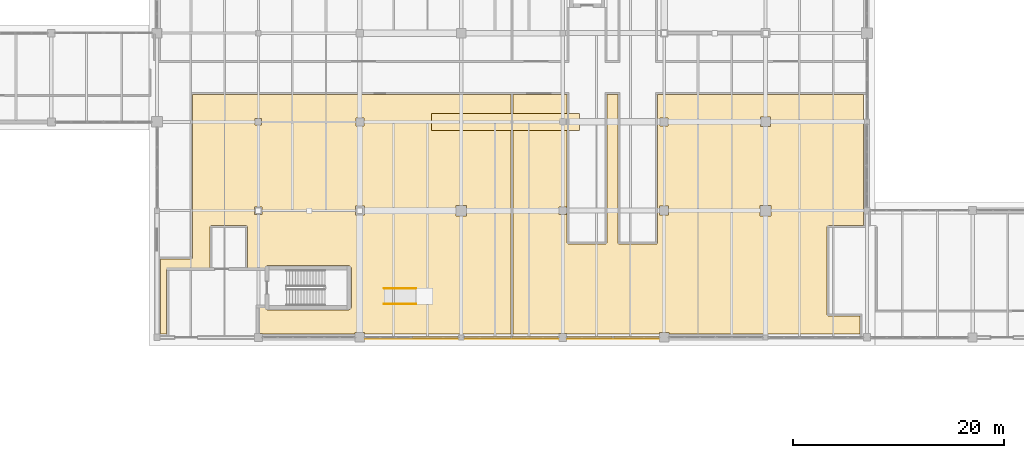
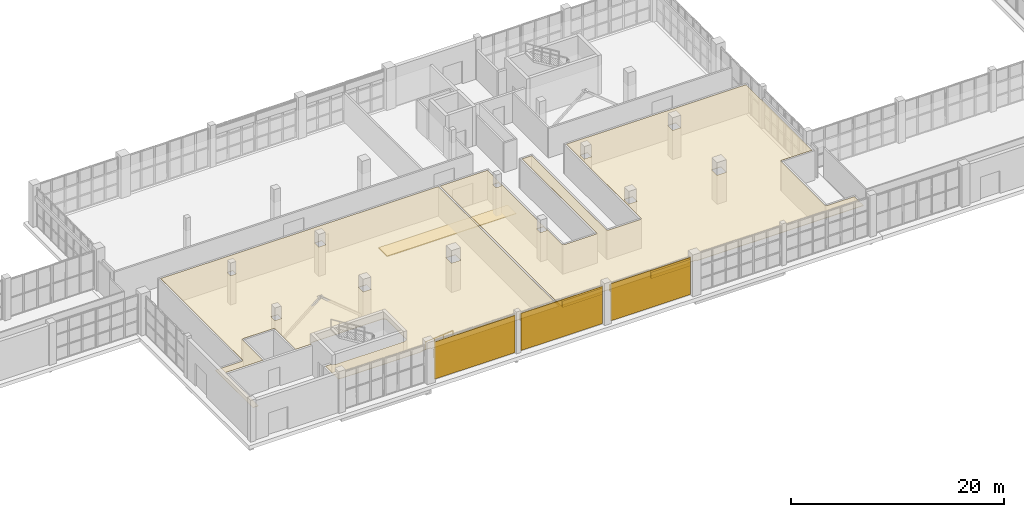
# One storey, part 111 of 121: 8 coverings, 3 shading devices, 2 railings.
"""IFC4 building model written with IfcOpenShell, lengths in metres."""

import ifcopenshell
import ifcopenshell.guid

model = None  # the IFC model being written
_history = None  # IfcOwnerHistory: only IFC2X3 demands one
_inside = {}  # id of a spatial element -> (the spatial element, [elements in it])
_under = {}  # id of a project, library or spatial element -> (it, [spatial elements below it])
_declared = {}  # id of a project -> (the project, [libraries it declares])
_typed = {}  # id of a type object -> (the type object, [elements of that type])
_made_of = {}  # id of a material, layer set ... -> (it, [elements and type objects made of it])


def new_model(schema):
    """Start an empty IFC model of exactly this schema.

    Asked for "IFC4X3", IfcOpenShell would pick the latest addendum, in which some entities
    have other attributes; the version numbers below select the first issue.
    IFC2X3 requires an IfcOwnerHistory on every rooted entity: one is made here for all.
    """
    global model, _history
    if schema == "IFC4X3":
        model = ifcopenshell.file(schema_version=(4, 3, 0, 0))
    else:
        model = ifcopenshell.file(schema=schema)
    _inside.clear()
    _under.clear()
    _declared.clear()
    _typed.clear()
    _made_of.clear()
    _history = None
    if model.schema == "IFC2X3":
        org = make("IfcOrganization", Name="unknown")
        user = make(
            "IfcPersonAndOrganization",
            ThePerson=make("IfcPerson", FamilyName="unknown"),
            TheOrganization=org,
        )
        app = make(
            "IfcApplication",
            ApplicationDeveloper=org,
            Version="unknown",
            ApplicationFullName="unknown",
            ApplicationIdentifier="unknown",
        )
        _history = make(
            "IfcOwnerHistory",
            OwningUser=user,
            OwningApplication=app,
            ChangeAction="ADDED",
            CreationDate=0,
        )
    return model


def make(cls, **values):
    """One entity of the class cls with the attributes given. An attribute that is None is left unset."""
    return model.create_entity(
        cls, **{name: value for name, value in values.items() if value is not None}
    )


def rooted(cls, **values):
    """An entity with a GlobalId (a new one), such as an element, a storey or a relation."""
    return make(cls, GlobalId=ifcopenshell.guid.new(), OwnerHistory=_history, **values)


def si_unit(unit_type, name, prefix=None):
    """IfcSIUnit, for example si_unit("LENGTHUNIT", "METRE", prefix="MILLI")."""
    return make("IfcSIUnit", UnitType=unit_type, Prefix=prefix, Name=name)


def assignment(units):
    """IfcUnitAssignment: the units of a project."""
    return None if units is None else make("IfcUnitAssignment", Units=units)


def point(xyz):
    """IfcCartesianPoint."""
    return None if xyz is None else make("IfcCartesianPoint", Coordinates=xyz)


def direction(xyz):
    """IfcDirection."""
    return None if xyz is None else make("IfcDirection", DirectionRatios=xyz)


def frame(location, z_axis=None, x_axis=None):
    """IfcAxis2Placement3D, a coordinate frame: its origin and axes. An axis left out is left unset."""
    return make(
        "IfcAxis2Placement3D",
        Location=point(location),
        Axis=direction(z_axis),
        RefDirection=direction(x_axis),
    )


def frame_2d(location, x_axis=None):
    """IfcAxis2Placement2D, a coordinate frame in the plane: its origin and x axis."""
    return make(
        "IfcAxis2Placement2D", Location=point(location), RefDirection=direction(x_axis)
    )


def origin():
    """The frame at (0, 0, 0) with its axes left unset."""
    return frame((0.0, 0.0, 0.0))


def origin_2d():
    """The frame at (0, 0) in the plane with its x axis left unset."""
    return frame_2d((0.0, 0.0))


def place(relative_to, where):
    """IfcLocalPlacement: puts the frame where relative to a parent placement (None: the world)."""
    return make(
        "IfcLocalPlacement", PlacementRelTo=relative_to, RelativePlacement=where
    )


def context(
    kind, dimensions, precision=None, world=None, true_north=None, identifier=None
):
    """IfcGeometricRepresentationContext, for example the 3D "Model" context."""
    return make(
        "IfcGeometricRepresentationContext",
        ContextIdentifier=identifier,
        ContextType=kind,
        CoordinateSpaceDimension=dimensions,
        Precision=precision,
        WorldCoordinateSystem=world,
        TrueNorth=true_north,
    )


def subcontext(parent, identifier, kind, view, scale=None):
    """IfcGeometricRepresentationSubContext, for example "Body" below "Model"."""
    return make(
        "IfcGeometricRepresentationSubContext",
        ContextIdentifier=identifier,
        ContextType=kind,
        ParentContext=parent,
        TargetScale=scale,
        TargetView=view,
    )


def project(units=None, contexts=None):
    """IfcProject with its units and contexts."""
    return rooted(
        "IfcProject",
        Name="project",
        RepresentationContexts=contexts,
        UnitsInContext=assignment(units),
    )


def spatial(cls, under=None, at=None, **own):
    """A site, building, storey or space (cls), placed at a placement, below another one or the project."""
    s = rooted(cls, ObjectPlacement=at, **own)
    if under is not None:
        _under.setdefault(under.id(), (under, []))[1].append(s)
    return s


def polyline(points):
    """IfcPolyline through the points."""
    return make("IfcPolyline", Points=[point(p) for p in points])


def profile(cls, at=None, kind="AREA", **sizes):
    """A parametric profile (cls). Its sizes go by their IFC names, for example OverallWidth=200.0."""
    return make(cls, ProfileType=kind, Position=at, **sizes)


def rectangle(**sizes):
    """IfcRectangleProfileDef."""
    return profile("IfcRectangleProfileDef", **sizes)


def circle(**sizes):
    """IfcCircleProfileDef."""
    return profile("IfcCircleProfileDef", **sizes)


def outline(outer, holes=None, kind="AREA"):
    """IfcArbitraryClosedProfileDef: a profile drawn as a closed curve; with holes, ...WithVoids."""
    if holes is None:
        return make("IfcArbitraryClosedProfileDef", ProfileType=kind, OuterCurve=outer)
    return make(
        "IfcArbitraryProfileDefWithVoids",
        ProfileType=kind,
        OuterCurve=outer,
        InnerCurves=holes,
    )


def extrude(swept, where, along, depth):
    """IfcExtrudedAreaSolid: the profile swept, set in the frame where, extruded along a direction by depth."""
    return make(
        "IfcExtrudedAreaSolid",
        SweptArea=swept,
        Position=where,
        ExtrudedDirection=direction(along),
        Depth=depth,
    )


def shape(context_of_items, identifier, shape_type, items):
    """IfcShapeRepresentation: the items that make up one representation, for example the "Body"."""
    return make(
        "IfcShapeRepresentation",
        ContextOfItems=context_of_items,
        RepresentationIdentifier=identifier,
        RepresentationType=shape_type,
        Items=items,
    )


def material(Name=None, Category=None):
    """IfcMaterial."""
    return make("IfcMaterial", Name=Name, Category=Category)


def layer(
    of_material, thickness, ventilated=None, Name=None, Category=None, Priority=None
):
    """IfcMaterialLayer: one layer of a wall or slab, of a material (None: an air gap)."""
    return make(
        "IfcMaterialLayer",
        Material=of_material,
        LayerThickness=thickness,
        IsVentilated=ventilated,
        Name=Name,
        Category=Category,
        Priority=Priority,
    )


def layer_set(layers, Name=None):
    """IfcMaterialLayerSet."""
    return make("IfcMaterialLayerSet", MaterialLayers=layers, LayerSetName=Name)


def made_of(thing, what):
    """Note that an element or type object is made of a material, layer set ...; save() writes the relation."""
    if what is not None:
        _made_of.setdefault(what.id(), (what, []))[1].append(thing)
    return thing


def type_object(cls, material=None, **own):
    """A type object (cls), such as IfcWallType, which elements share."""
    return made_of(rooted(cls, **own), material)


def element(
    cls,
    number,
    at=None,
    inside=None,
    cuts=None,
    type_object=None,
    material=None,
    context=None,
    identifier="Body",
    shape_type=None,
    held_by="IfcProductDefinitionShape",
    body=None,
    shapes=None,
    **own,
):
    """One element of the class cls, such as IfcWall. Its Tag is "e" and its number.

    at: its placement. inside: the storey or other place that contains it. cuts: it is an
    opening in that element (IfcRelVoidsElement). A single representation is given by context,
    identifier, shape_type and body (its items); several are given by shapes. held_by: the class
    of the entity that holds the representations. save() writes the other relations.
    """
    e = rooted(cls, Tag="e%d" % number, ObjectPlacement=at, **own)
    if body is not None:
        shapes = [shape(context, identifier, shape_type, body)]
    if shapes is not None:
        e.Representation = make(held_by, Representations=shapes)
    if inside is not None:
        _inside.setdefault(inside.id(), (inside, []))[1].append(e)
    if cuts is not None:
        rooted(
            "IfcRelVoidsElement", RelatingBuildingElement=cuts, RelatedOpeningElement=e
        )
    if type_object is not None:
        _typed.setdefault(type_object.id(), (type_object, []))[1].append(e)
    return made_of(e, material)


def aggregate(whole, parts):
    """IfcRelAggregates: a whole, such as a stair, and the parts it consists of."""
    return rooted("IfcRelAggregates", RelatingObject=whole, RelatedObjects=parts)


def save(model, path):
    """Write the relations noted so far, then the file.

    IfcRelAggregates (storeys below a building ...), IfcRelContainedInSpatialStructure (elements
    in a storey), IfcRelDefinesByType, IfcRelAssociatesMaterial and IfcRelDeclares: one each for
    every whole, place, type object, material and project.
    """
    for whole, parts in _under.values():
        aggregate(whole, parts)
    for where, things in _inside.values():
        rooted(
            "IfcRelContainedInSpatialStructure",
            RelatedElements=things,
            RelatingStructure=where,
        )
    for kind, things in _typed.values():
        rooted("IfcRelDefinesByType", RelatedObjects=things, RelatingType=kind)
    for what, things in _made_of.values():
        rooted("IfcRelAssociatesMaterial", RelatedObjects=things, RelatingMaterial=what)
    for by, libraries in _declared.values():
        rooted("IfcRelDeclares", RelatingContext=by, RelatedDefinitions=libraries)
    model.write(path)


model = new_model("IFC4")

# Units and contexts
model_context = context("Model", 3, precision=1e-05, world=origin(), true_north=direction((0.0, 1.0)))
body_context = subcontext(model_context, "Body", "Model", "MODEL_VIEW")
ifc_project = project(units=[si_unit("LENGTHUNIT", "METRE"), si_unit("AREAUNIT", "SQUARE_METRE"), si_unit("VOLUMEUNIT", "CUBIC_METRE"), si_unit("PLANEANGLEUNIT", "RADIAN"), si_unit("MASSUNIT", "GRAM", prefix="KILO")], contexts=[model_context])

# Site, building, storey
site_placement = place(None, origin())
site = spatial("IfcSite", under=ifc_project, at=site_placement, CompositionType="ELEMENT")
building_placement = place(site_placement, origin())
building = spatial("IfcBuilding", under=site, at=building_placement, Name="Zereglee Splitstone Museum", CompositionType="ELEMENT")
storey_placement = place(building_placement, origin())
storey = spatial("IfcBuildingStorey", under=building, at=storey_placement, Name="L00", CompositionType="ELEMENT", Elevation=0.0)

# Coverings
ifc_material_1 = material(Name="Perforated acoustic gypsum board ceiling", Category="masonry")
ifc_layer_1 = layer(ifc_material_1, 0.044921875)
ifc_layer_set_1 = layer_set([ifc_layer_1], Name="Perforated acoustic gypsum board ceiling")
covering_type_1 = type_object("IfcCoveringType", Name="CLG-02", PredefinedType="CEILING", material=ifc_layer_set_1)
covering_1_placement = place(storey_placement, frame((0.0, 0.0, 3.3349609375)))
element("IfcCovering", 1, at=covering_1_placement, inside=storey, type_object=covering_type_1, Name="Acoustic Ceiling L00-004", PredefinedType="CEILING", context=body_context, shape_type="SweptSolid", body=[
    extrude(outline(polyline([(86.580078125, 20.0), (86.580078125, 20.0009765625), (86.5791015625, 20.0166015625), (86.5791015625, 20.0185546875), (86.57666015625, 20.0341796875), (86.576416015625, 20.0361328125), (86.572509765625, 20.05126953125), (86.572021484375, 20.05322265625), (86.566650390625, 20.068115234375), (86.56591796875, 20.06982421875), (86.55908203125, 20.083984375), (86.558349609375, 20.085693359375), (86.55029296875, 20.09912109375), (86.549072265625, 20.100830078125), (86.539794921875, 20.11328125), (86.53857421875, 20.114990234375), (86.528076171875, 20.126708984375), (86.526611328125, 20.1279296875), (86.514892578125, 20.138427734375), (86.513427734375, 20.1396484375), (86.500732421875, 20.149169921875), (86.499267578125, 20.150146484375), (86.485595703125, 20.158203125), (86.48388671875, 20.1591796875), (86.4697265625, 20.166015625), (86.468017578125, 20.166748046875), (86.453125, 20.171875), (86.451416015625, 20.172607421875), (86.43603515625, 20.17626953125), (86.43408203125, 20.1767578125), (86.418701171875, 20.178955078125), (86.416748046875, 20.17919921875), (86.40087890625, 20.179931640625), (86.39990234375, 20.179931640625), (83.199951171875, 20.179931640625), (83.198974609375, 20.179931640625), (83.183349609375, 20.17919921875), (83.181396484375, 20.178955078125), (83.166015625, 20.1767578125), (83.163818359375, 20.17626953125), (83.148681640625, 20.172607421875), (83.146728515625, 20.171875), (83.132080078125, 20.166748046875), (83.130126953125, 20.166015625), (83.115966796875, 20.1591796875), (83.1142578125, 20.158203125), (83.100830078125, 20.150146484375), (83.09912109375, 20.149169921875), (83.086669921875, 20.1396484375), (83.085205078125, 20.138427734375), (83.073486328125, 20.1279296875), (83.072021484375, 20.126708984375), (83.0615234375, 20.114990234375), (83.060302734375, 20.11328125), (83.05078125, 20.100830078125), (83.0498046875, 20.09912109375), (83.041748046875, 20.085693359375), (83.040771484375, 20.083984375), (83.0341796875, 20.06982421875), (83.033203125, 20.068115234375), (83.028076171875, 20.05322265625), (83.027587890625, 20.05126953125), (83.023681640625, 20.0361328125), (83.023193359375, 20.0341796875), (83.02099609375, 20.0185546875), (83.020751953125, 20.0166015625), (83.02001953125, 20.0009765625), (83.02001953125, 20.0), (83.02001953125, 16.179931640625), (79.10009765625, 16.179931640625), (79.09912109375, 16.179931640625), (79.083251953125, 16.17919921875), (79.081298828125, 16.178955078125), (79.06591796875, 16.1767578125), (79.06396484375, 16.17626953125), (79.048583984375, 16.172607421875), (79.046875, 16.171875), (79.031982421875, 16.166748046875), (79.0302734375, 16.166015625), (79.01611328125, 16.1591796875), (79.014404296875, 16.158203125), (79.000732421875, 16.150146484375), (78.999267578125, 16.149169921875), (78.986572265625, 16.1396484375), (78.985107421875, 16.138427734375), (78.973388671875, 16.1279296875), (78.971923828125, 16.126708984375), (78.96142578125, 16.114990234375), (78.960205078125, 16.11328125), (78.950927734375, 16.100830078125), (78.94970703125, 16.09912109375), (78.941650390625, 16.085693359375), (78.94091796875, 16.083984375), (78.93408203125, 16.06982421875), (78.933349609375, 16.068115234375), (78.927978515625, 16.05322265625), (78.927490234375, 16.05126953125), (78.923583984375, 16.0361328125), (78.92333984375, 16.0341796875), (78.9208984375, 16.0185546875), (78.9208984375, 16.0166015625), (78.919921875, 16.0009765625), (78.919921875, 16.0), (78.919921875, 9.93994140625), (78.340087890625, 9.93994140625), (78.340087890625, 17.02001953125), (81.199951171875, 17.02001953125), (81.200927734375, 17.02001953125), (81.216796875, 17.020751953125), (81.218505859375, 17.02099609375), (81.234130859375, 17.023193359375), (81.236083984375, 17.023681640625), (81.251220703125, 17.027587890625), (81.253173828125, 17.028076171875), (81.26806640625, 17.033203125), (81.269775390625, 17.0341796875), (81.283935546875, 17.040771484375), (81.28564453125, 17.041748046875), (81.29931640625, 17.0498046875), (81.30078125, 17.05078125), (81.3134765625, 17.060302734375), (81.31494140625, 17.0615234375), (81.32666015625, 17.072021484375), (81.327880859375, 17.073486328125), (81.33837890625, 17.085205078125), (81.339599609375, 17.086669921875), (81.34912109375, 17.09912109375), (81.35009765625, 17.100830078125), (81.3583984375, 17.1142578125), (81.359130859375, 17.115966796875), (81.365966796875, 17.130126953125), (81.36669921875, 17.132080078125), (81.371826171875, 17.146728515625), (81.37255859375, 17.148681640625), (81.376220703125, 17.163818359375), (81.376708984375, 17.166015625), (81.37890625, 17.181396484375), (81.379150390625, 17.183349609375), (81.3798828125, 17.198974609375), (81.3798828125, 17.199951171875), (81.3798828125, 32.570068359375), (111.5, 32.570068359375), (111.5, 9.93994140625), (97.657958984375, 9.93994140625), (97.657958984375, 10.05810546875), (96.741943359375, 10.05810546875), (96.741943359375, 9.93994140625), (87.98291015625, 9.93994140625), (87.98291015625, 9.98291015625), (87.6201171875, 9.98291015625), (87.6201171875, 12.419921875), (88.22119140625, 12.419921875), (88.2294921875, 12.402099609375), (88.250732421875, 12.36669921875), (88.275390625, 12.33349609375), (88.302978515625, 12.302978515625), (88.33349609375, 12.275390625), (88.36669921875, 12.250732421875), (88.402099609375, 12.2294921875), (88.439208984375, 12.2119140625), (88.47802734375, 12.197998046875), (88.51806640625, 12.18798828125), (88.558837890625, 12.181884765625), (88.60009765625, 12.179931640625), (96.0, 12.179931640625), (96.041259765625, 12.181884765625), (96.081787109375, 12.18798828125), (96.121826171875, 12.197998046875), (96.16064453125, 12.2119140625), (96.197998046875, 12.2294921875), (96.2333984375, 12.250732421875), (96.266357421875, 12.275390625), (96.297119140625, 12.302978515625), (96.32470703125, 12.33349609375), (96.34912109375, 12.36669921875), (96.370361328125, 12.402099609375), (96.387939453125, 12.439208984375), (96.40185546875, 12.47802734375), (96.411865234375, 12.51806640625), (96.41796875, 12.558837890625), (96.419921875, 12.60009765625), (96.419921875, 16.0), (96.41796875, 16.041259765625), (96.411865234375, 16.081787109375), (96.40185546875, 16.121826171875), (96.387939453125, 16.16064453125), (96.370361328125, 16.197998046875), (96.34912109375, 16.2333984375), (96.32470703125, 16.266357421875), (96.297119140625, 16.297119140625), (96.266357421875, 16.32470703125), (96.2333984375, 16.34912109375), (96.197998046875, 16.370361328125), (96.16064453125, 16.387939453125), (96.121826171875, 16.40185546875), (96.081787109375, 16.411865234375), (96.041259765625, 16.41796875), (96.0, 16.419921875), (88.60009765625, 16.419921875), (88.558837890625, 16.41796875), (88.51806640625, 16.411865234375), (88.47802734375, 16.40185546875), (88.439208984375, 16.387939453125), (88.402099609375, 16.370361328125), (88.36669921875, 16.34912109375), (88.33349609375, 16.32470703125), (88.302978515625, 16.297119140625), (88.275390625, 16.266357421875), (88.250732421875, 16.2333984375), (88.2294921875, 16.197998046875), (88.22119140625, 16.179931640625), (86.580078125, 16.179931640625), (86.580078125, 20.0)]), holes=[polyline([(87.9580078125, 21.9580078125), (87.241943359375, 21.9580078125), (87.241943359375, 21.241943359375), (87.9580078125, 21.241943359375), (87.9580078125, 21.9580078125)]), polyline([(96.76708984375, 22.032958984375), (96.76708984375, 21.1669921875), (97.633056640625, 21.1669921875), (97.633056640625, 22.032958984375), (96.76708984375, 22.032958984375)]), polyline([(106.2919921875, 22.10791015625), (106.2919921875, 21.092041015625), (107.30810546875, 21.092041015625), (107.30810546875, 22.10791015625), (106.2919921875, 22.10791015625)]), polyline([(87.2919921875, 30.30810546875), (87.2919921875, 29.69189453125), (87.907958984375, 29.69189453125), (87.907958984375, 30.30810546875), (87.2919921875, 30.30810546875)]), polyline([(97.5830078125, 30.383056640625), (96.81689453125, 30.383056640625), (96.81689453125, 29.616943359375), (97.5830078125, 29.616943359375), (97.5830078125, 30.383056640625)])]), origin(), (0.0, 0.0, 1.0), 0.044921875),
])
ifc_material_2 = material(Name="Siberian larch acoustic timber ceiling", Category="wood")
ifc_layer_2 = layer(ifc_material_2, 0.06005859375)
ifc_layer_set_2 = layer_set([ifc_layer_2], Name="Siberian larch acoustic timber ceiling")
covering_type_2 = type_object("IfcCoveringType", Name="CLG-01", PredefinedType="CEILING", material=ifc_layer_set_2)
covering_2_placement = place(storey_placement, frame((0.0, 0.0, 3.320068359375)))
element("IfcCovering", 2, at=covering_2_placement, inside=storey, type_object=covering_type_2, Name="Acoustic Ceiling L00-005", PredefinedType="CEILING", context=body_context, shape_type="SweptSolid", body=[
    extrude(outline(polyline([(141.59912109375, 20.179931640625), (141.583251953125, 20.17919921875), (141.581298828125, 20.178955078125), (141.56591796875, 20.1767578125), (141.56396484375, 20.17626953125), (141.548583984375, 20.172607421875), (141.546875, 20.171875), (141.531982421875, 20.166748046875), (141.5302734375, 20.166015625), (141.51611328125, 20.1591796875), (141.514404296875, 20.158203125), (141.500732421875, 20.150146484375), (141.499267578125, 20.149169921875), (141.486572265625, 20.1396484375), (141.485107421875, 20.138427734375), (141.473388671875, 20.1279296875), (141.471923828125, 20.126708984375), (141.46142578125, 20.114990234375), (141.460205078125, 20.11328125), (141.450927734375, 20.100830078125), (141.44970703125, 20.09912109375), (141.441650390625, 20.085693359375), (141.44091796875, 20.083984375), (141.43408203125, 20.06982421875), (141.433349609375, 20.068115234375), (141.427978515625, 20.05322265625), (141.427490234375, 20.05126953125), (141.423583984375, 20.0361328125), (141.42333984375, 20.0341796875), (141.4208984375, 20.0185546875), (141.4208984375, 20.0166015625), (141.419921875, 20.0009765625), (141.419921875, 20.0), (141.419921875, 11.800048828125), (141.419921875, 11.799072265625), (141.4208984375, 11.783203125), (141.4208984375, 11.781494140625), (141.42333984375, 11.765869140625), (141.423583984375, 11.763916015625), (141.427490234375, 11.748779296875), (141.427978515625, 11.746826171875), (141.433349609375, 11.73193359375), (141.43408203125, 11.730224609375), (141.44091796875, 11.716064453125), (141.441650390625, 11.71435546875), (141.44970703125, 11.70068359375), (141.450927734375, 11.69921875), (141.460205078125, 11.6865234375), (141.46142578125, 11.68505859375), (141.471923828125, 11.67333984375), (141.473388671875, 11.672119140625), (141.485107421875, 11.66162109375), (141.486572265625, 11.660400390625), (141.499267578125, 11.65087890625), (141.500732421875, 11.64990234375), (141.514404296875, 11.6416015625), (141.51611328125, 11.640869140625), (141.5302734375, 11.634033203125), (141.531982421875, 11.63330078125), (141.546875, 11.628173828125), (141.548583984375, 11.62744140625), (141.56396484375, 11.623779296875), (141.56591796875, 11.623291015625), (141.581298828125, 11.62109375), (141.583251953125, 11.620849609375), (141.59912109375, 11.6201171875), (141.60009765625, 11.6201171875), (144.52001953125, 11.6201171875), (144.52001953125, 9.93994140625), (126.4580078125, 9.93994140625), (126.4580078125, 10.05810546875), (125.5419921875, 10.05810546875), (125.5419921875, 9.93994140625), (116.782958984375, 9.93994140625), (116.782958984375, 9.98291015625), (116.01708984375, 9.98291015625), (116.01708984375, 9.93994140625), (111.699951171875, 9.93994140625), (111.699951171875, 32.570068359375), (116.820068359375, 32.570068359375), (116.820068359375, 18.60009765625), (116.820068359375, 18.59912109375), (116.82080078125, 18.583251953125), (116.821044921875, 18.581298828125), (116.8232421875, 18.56591796875), (116.82373046875, 18.56396484375), (116.827392578125, 18.548583984375), (116.828125, 18.546875), (116.833251953125, 18.531982421875), (116.833984375, 18.5302734375), (116.8408203125, 18.51611328125), (116.841796875, 18.514404296875), (116.849853515625, 18.500732421875), (116.850830078125, 18.499267578125), (116.8603515625, 18.486572265625), (116.861572265625, 18.485107421875), (116.8720703125, 18.473388671875), (116.873291015625, 18.471923828125), (116.885009765625, 18.46142578125), (116.88671875, 18.460205078125), (116.899169921875, 18.450927734375), (116.90087890625, 18.44970703125), (116.914306640625, 18.441650390625), (116.916015625, 18.44091796875), (116.93017578125, 18.43408203125), (116.931884765625, 18.433349609375), (116.94677734375, 18.427978515625), (116.94873046875, 18.427490234375), (116.9638671875, 18.423583984375), (116.9658203125, 18.42333984375), (116.9814453125, 18.4208984375), (116.9833984375, 18.4208984375), (116.9990234375, 18.419921875), (117.0, 18.419921875), (120.39990234375, 18.419921875), (120.40087890625, 18.419921875), (120.416748046875, 18.4208984375), (120.418701171875, 18.4208984375), (120.43408203125, 18.42333984375), (120.43603515625, 18.423583984375), (120.451416015625, 18.427490234375), (120.453125, 18.427978515625), (120.468017578125, 18.433349609375), (120.4697265625, 18.43408203125), (120.48388671875, 18.44091796875), (120.485595703125, 18.441650390625), (120.499267578125, 18.44970703125), (120.500732421875, 18.450927734375), (120.513427734375, 18.460205078125), (120.514892578125, 18.46142578125), (120.526611328125, 18.471923828125), (120.528076171875, 18.473388671875), (120.53857421875, 18.485107421875), (120.539794921875, 18.486572265625), (120.549072265625, 18.499267578125), (120.55029296875, 18.500732421875), (120.558349609375, 18.514404296875), (120.55908203125, 18.51611328125), (120.56591796875, 18.5302734375), (120.566650390625, 18.531982421875), (120.572021484375, 18.546875), (120.572509765625, 18.548583984375), (120.576416015625, 18.56396484375), (120.57666015625, 18.56591796875), (120.5791015625, 18.581298828125), (120.5791015625, 18.583251953125), (120.580078125, 18.59912109375), (120.580078125, 18.60009765625), (120.580078125, 32.570068359375), (121.6201171875, 32.570068359375), (121.6201171875, 18.60009765625), (121.6201171875, 18.59912109375), (121.620849609375, 18.583251953125), (121.62109375, 18.581298828125), (121.623291015625, 18.56591796875), (121.623779296875, 18.56396484375), (121.62744140625, 18.548583984375), (121.628173828125, 18.546875), (121.63330078125, 18.531982421875), (121.634033203125, 18.5302734375), (121.640869140625, 18.51611328125), (121.6416015625, 18.514404296875), (121.64990234375, 18.500732421875), (121.65087890625, 18.499267578125), (121.660400390625, 18.486572265625), (121.66162109375, 18.485107421875), (121.672119140625, 18.473388671875), (121.67333984375, 18.471923828125), (121.68505859375, 18.46142578125), (121.6865234375, 18.460205078125), (121.69921875, 18.450927734375), (121.70068359375, 18.44970703125), (121.71435546875, 18.441650390625), (121.716064453125, 18.44091796875), (121.730224609375, 18.43408203125), (121.73193359375, 18.433349609375), (121.746826171875, 18.427978515625), (121.748779296875, 18.427490234375), (121.763916015625, 18.423583984375), (121.765869140625, 18.42333984375), (121.781494140625, 18.4208984375), (121.783203125, 18.4208984375), (121.799072265625, 18.419921875), (121.800048828125, 18.419921875), (125.199951171875, 18.419921875), (125.200927734375, 18.419921875), (125.216796875, 18.4208984375), (125.218505859375, 18.4208984375), (125.234130859375, 18.42333984375), (125.236083984375, 18.423583984375), (125.251220703125, 18.427490234375), (125.253173828125, 18.427978515625), (125.26806640625, 18.433349609375), (125.269775390625, 18.43408203125), (125.283935546875, 18.44091796875), (125.28564453125, 18.441650390625), (125.29931640625, 18.44970703125), (125.30078125, 18.450927734375), (125.3134765625, 18.460205078125), (125.31494140625, 18.46142578125), (125.32666015625, 18.471923828125), (125.327880859375, 18.473388671875), (125.33837890625, 18.485107421875), (125.339599609375, 18.486572265625), (125.34912109375, 18.499267578125), (125.35009765625, 18.500732421875), (125.3583984375, 18.514404296875), (125.359130859375, 18.51611328125), (125.365966796875, 18.5302734375), (125.36669921875, 18.531982421875), (125.371826171875, 18.546875), (125.37255859375, 18.548583984375), (125.376220703125, 18.56396484375), (125.376708984375, 18.56591796875), (125.37890625, 18.581298828125), (125.379150390625, 18.583251953125), (125.3798828125, 18.59912109375), (125.3798828125, 18.60009765625), (125.3798828125, 32.570068359375), (144.860107421875, 32.570068359375), (144.860107421875, 20.179931640625), (141.60009765625, 20.179931640625), (141.59912109375, 20.179931640625)]), holes=[polyline([(116.0419921875, 21.9580078125), (116.0419921875, 21.241943359375), (116.758056640625, 21.241943359375), (116.758056640625, 21.9580078125), (116.0419921875, 21.9580078125)]), polyline([(125.56689453125, 22.032958984375), (125.56689453125, 21.1669921875), (126.43310546875, 21.1669921875), (126.43310546875, 22.032958984375), (125.56689453125, 22.032958984375)]), polyline([(136.10791015625, 22.10791015625), (135.092041015625, 22.10791015625), (135.092041015625, 21.092041015625), (136.10791015625, 21.092041015625), (136.10791015625, 22.10791015625)]), polyline([(136.05810546875, 30.4580078125), (135.14208984375, 30.4580078125), (135.14208984375, 29.5419921875), (136.05810546875, 29.5419921875), (136.05810546875, 30.4580078125)]), polyline([(126.383056640625, 30.383056640625), (125.616943359375, 30.383056640625), (125.616943359375, 29.616943359375), (126.383056640625, 29.616943359375), (126.383056640625, 30.383056640625)]), polyline([(116.092041015625, 30.30810546875), (116.092041015625, 29.69189453125), (116.7080078125, 29.69189453125), (116.7080078125, 30.30810546875), (116.092041015625, 30.30810546875)])]), origin(), (0.0, 0.0, 1.0), 0.059814453125),
])
ifc_material_3 = material(Name="Honed Gobi pale limestone stringcourse and soffit cladding", Category="masonry")
ifc_layer_3 = layer(ifc_material_3, 0.070068359375)
ifc_layer_set_3 = layer_set([ifc_layer_3], Name="Honed Gobi pale limestone stringcourse and soffit cladding")
covering_type_3 = type_object("IfcCoveringType", Name="CL-02", PredefinedType="CLADDING", material=ifc_layer_set_3)
covering_3_placement = place(storey_placement, frame((104.341064453125, 9.60009765625, 3.5048828125), z_axis=(0.0, 0.0, 1.0), x_axis=(1.0, 0.0, 0.0)))
element("IfcCovering", 3, at=covering_3_placement, inside=storey, type_object=covering_type_3, Name="Mughal Carved Clerestory Jaali Frieze RC4-CW-L00-087-2", PredefinedType="CLADDING", context=body_context, shape_type="SweptSolid", body=[
    extrude(rectangle(XDim=4.320068359375, YDim=0.239990234375, at=origin_2d()), origin(), (0.0, 0.0, 1.0), 0.75),
])
for number, where, z_axis, x_axis, name in (
    (4, (109.277587890625, 9.60009765625, 3.465087890625), (0.0, 0.0, 1.0), (1.0, 0.0, 0.0), "Mughal Carved Clerestory Jaali Frieze RC4-CW-L00-088-1"),
    (5, (113.797119140625, 9.60009765625, 3.445068359375), (0.0, 0.0, 1.0), (1.0, 0.0, 0.0), "Mughal Carved Clerestory Jaali Frieze RC4-CW-L00-088-2"),
):
    element("IfcCovering", number, at=place(storey_placement, frame(where, z_axis=z_axis, x_axis=x_axis)), inside=storey, type_object=covering_type_3, Name=name, PredefinedType="CLADDING", context=body_context, shape_type="SweptSolid", body=[
        extrude(rectangle(XDim=4.360107421875, YDim=0.239990234375, at=origin_2d()), origin(), (0.0, 0.0, 1.0), 0.75),
    ])
for number, where, z_axis, x_axis, name in (
    (6, (118.952880859375, 9.60009765625, 3.405029296875), (0.0, 0.0, 1.0), (1.0, 0.0, 0.0), "Mughal Carved Clerestory Jaali Frieze RC4-CW-L00-089-1"),
    (7, (123.372314453125, 9.60009765625, 3.385009765625), (0.0, 0.0, 1.0), (1.0, 0.0, 0.0), "Mughal Carved Clerestory Jaali Frieze RC4-CW-L00-089-2"),
):
    element("IfcCovering", number, at=place(storey_placement, frame(where, z_axis=z_axis, x_axis=x_axis)), inside=storey, type_object=covering_type_3, Name=name, PredefinedType="CLADDING", context=body_context, shape_type="SweptSolid", body=[
        extrude(rectangle(XDim=4.260009765625, YDim=0.239990234375, at=origin_2d()), origin(), (0.0, 0.0, 1.0), 0.75),
    ])

# Railings
ifc_material_4 = material(Name="Architectural bronze tubular handrail", Category="steel")
railing_type = type_object("IfcRailingType", Name="HR-01", PredefinedType="HANDRAIL", material=ifc_material_4)
for number, where, name in (
    (8, (99.5, 14.25, 0.0), "Mineralogy Dais Accessible Ramp AR-2 Handrail L"),
    (9, (99.5, 12.75, 0.0), "Mineralogy Dais Accessible Ramp AR-2 Handrail R"),
):
    element("IfcRailing", number, at=place(storey_placement, frame(where)), inside=storey, type_object=railing_type, Name=name, PredefinedType="HANDRAIL", context=body_context, shape_type="SweptSolid", body=[
        extrude(circle(Radius=0.02392578125, at=origin_2d()), frame((0.0, 0.0, 0.8759765625), z_axis=(0.996545758245, 0.0, 0.083045479854), x_axis=(0.0, 1.0, 0.0)), (0.0, 0.0, 1.0), 3.010498046875),
        extrude(circle(Radius=0.02099609375, at=origin_2d()), origin(), (0.0, 0.0, 1.0), 0.851806640625),
        extrude(circle(Radius=0.02099609375, at=origin_2d()), frame((1.0, 0.0, 0.083251953125)), (0.0, 0.0, 1.0), 0.851806640625),
        extrude(circle(Radius=0.02099609375, at=origin_2d()), frame((2.0, 0.0, 0.166748046875)), (0.0, 0.0, 1.0), 0.851806640625),
        extrude(circle(Radius=0.02099609375, at=origin_2d()), frame((3.0, 0.0, 0.25)), (0.0, 0.0, 1.0), 0.851806640625),
    ])

# Shading devices
ifc_material_5 = material(Name="Patinated architectural bronze CuSn8 geometric jali screen")
ifc_layer_4 = layer(ifc_material_5, 0.06005859375)
ifc_layer_set_4 = layer_set([ifc_layer_4], Name="Patinated architectural bronze CuSn8 geometric jali screen")
shading_device_type = type_object("IfcShadingDeviceType", Name="JL-01", PredefinedType="USERDEFINED", material=ifc_layer_set_4)
shading_device_1_placement = place(storey_placement, frame((97.7080078125, 9.52001953125, 0.1201171875), z_axis=(0.0, -1.0, 0.0), x_axis=(1.0, 0.0, 0.0)))
element("IfcShadingDevice", 10, at=shading_device_1_placement, inside=storey, type_object=shading_device_type, Name="Bronze Mughal Jali Screen 09", ObjectType="SCREEN", PredefinedType="USERDEFINED", context=body_context, shape_type="SweptSolid", body=[
    extrude(outline(polyline([(0.0, 0.0), (8.783935546875, 0.0), (8.783935546875, 4.259765625), (0.0, 4.259765625), (0.0, 0.0)])), origin(), (0.0, 0.0, 1.0), 0.06005859375),
])
shading_device_2_placement = place(storey_placement, frame((107.10791015625, 9.52001953125, 0.1201171875), z_axis=(0.0, -1.0, 0.0), x_axis=(1.0, 0.0, 0.0)))
element("IfcShadingDevice", 11, at=shading_device_2_placement, inside=storey, type_object=shading_device_type, Name="Bronze Mughal Jali Screen 10", ObjectType="SCREEN", PredefinedType="USERDEFINED", context=body_context, shape_type="SweptSolid", body=[
    extrude(outline(polyline([(0.0, 0.0), (8.859130859375, 0.0), (8.859130859375, 4.259765625), (0.0, 4.259765625), (0.0, 0.0)])), origin(), (0.0, 0.0, 1.0), 0.06005859375),
])
shading_device_3_placement = place(storey_placement, frame((116.8330078125, 9.52001953125, 0.1201171875), z_axis=(0.0, -1.0, 0.0), x_axis=(1.0, 0.0, 0.0)))
element("IfcShadingDevice", 12, at=shading_device_3_placement, inside=storey, type_object=shading_device_type, Name="Bronze Mughal Jali Screen 11", ObjectType="SCREEN", PredefinedType="USERDEFINED", context=body_context, shape_type="SweptSolid", body=[
    extrude(outline(polyline([(0.0, 0.0), (8.658935546875, 0.0), (8.658935546875, 4.259765625), (0.0, 4.259765625), (0.0, 0.0)])), origin(), (0.0, 0.0, 1.0), 0.06005859375),
])

# Covering
ifc_material_6 = material(Name="Carved pale Gobi limestone charbagh channel trim", Category="masonry")
ifc_layer_5 = layer(ifc_material_6, 0.080078125)
ifc_layer_set_5 = layer_set([ifc_layer_5], Name="Carved pale Gobi limestone charbagh channel trim")
covering_type_4 = type_object("IfcCoveringType", Name="CHB-01", PredefinedType="FLOORING", material=ifc_layer_set_5)
covering_4_placement = place(storey_placement, origin())
element("IfcCovering", 13, at=covering_4_placement, inside=storey, type_object=covering_type_4, Name="Charbagh Stone Terrace Parterre CHB-FOYER-W2", PredefinedType="FLOORING", context=body_context, shape_type="SweptSolid", body=[
    extrude(outline(polyline([(104.0, 29.199951171875), (118.0, 29.199951171875), (118.0, 30.800048828125), (104.0, 30.800048828125), (104.0, 29.199951171875)])), origin(), (0.0, 0.0, 1.0), 0.080078125),
])

save(model, "model.ifc")
